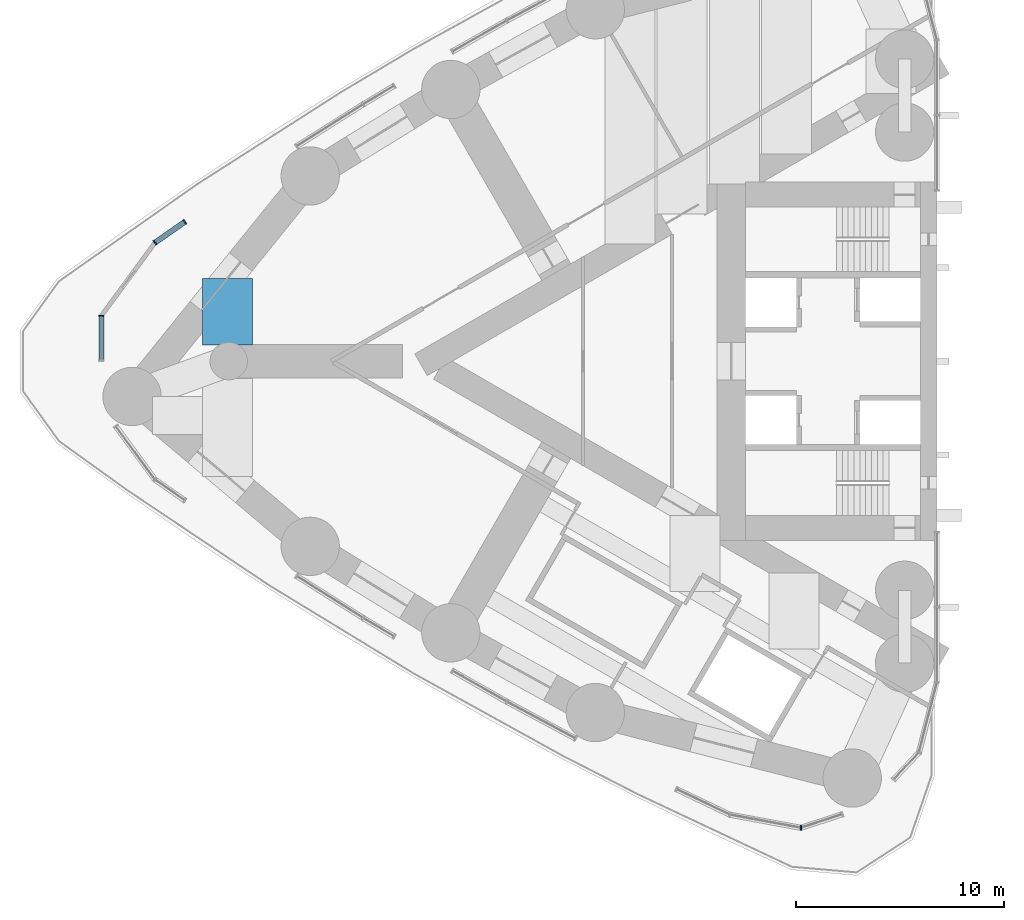
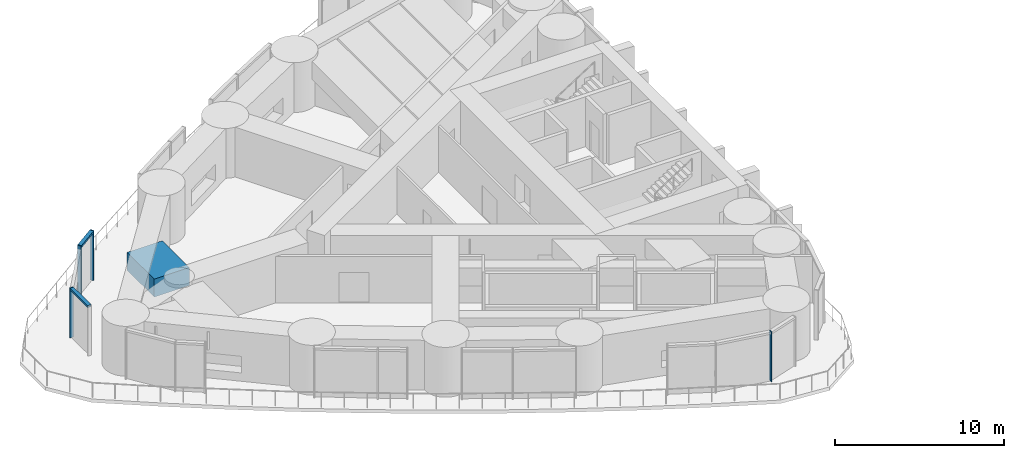
# One storey, part 3 of 17: 6 members, 1 beam, 3 elements without a shape of their own.
"""IFC4 building model written with IfcOpenShell, lengths in metres."""

from ifc_helpers import new_model, si_unit, direction, frame, origin, origin_2d, place, context, subcontext, project, spatial, rectangle, extrude, material, material_profile, profile_set, type_object, element, aggregate, save


model = new_model("IFC4")

# Units and contexts
model_context = context("Model", 3, precision=1e-05, world=origin(), true_north=direction((0.0, 1.0)))
body_context = subcontext(model_context, "Body", "Model", "MODEL_VIEW")
ifc_project = project(units=[si_unit("LENGTHUNIT", "METRE"), si_unit("AREAUNIT", "SQUARE_METRE"), si_unit("VOLUMEUNIT", "CUBIC_METRE"), si_unit("PLANEANGLEUNIT", "RADIAN"), si_unit("MASSUNIT", "GRAM", prefix="KILO")], contexts=[model_context])

# Site, building, storey
site_placement = place(None, origin())
site = spatial("IfcSite", under=ifc_project, at=site_placement, CompositionType="ELEMENT")
building_placement = place(site_placement, origin())
building = spatial("IfcBuilding", under=site, at=building_placement, Name="Lancet Gate Hotel", CompositionType="ELEMENT")
storey_placement = place(building_placement, frame((0.0, 0.0, 152.699951171875)))
storey = spatial("IfcBuildingStorey", under=building, at=storey_placement, Name="L40", CompositionType="ELEMENT", Elevation=152.699951171875)

# Curtain wall, members
ifc_material_1 = material(Name="Aluminium curtain wall", Category="aluminium")
curtain_wall_type = type_object("IfcCurtainWallType", Name="Tower unitised curtain wall", PredefinedType="USERDEFINED", material=ifc_material_1)
curtain_wall_1_placement = place(storey_placement, origin())
curtain_wall_1 = element("IfcCurtainWall", 1, at=curtain_wall_1_placement, inside=storey, type_object=curtain_wall_type, Name="T1 L40 curtain wall 5", ObjectType="UNITISED CURTAIN WALL", PredefinedType="USERDEFINED")
ifc_material_2 = material(Name="Aluminium mullion", Category="aluminium")
ifc_material_profile_1 = material_profile(ifc_material_2, rectangle(XDim=0.06494140625, YDim=0.25, at=origin_2d()), Name="MULLION 65x250")
ifc_profile_set_1 = profile_set([ifc_material_profile_1], Name="Aluminium mullion")
member_type_1 = type_object("IfcMemberType", Name="Aluminium mullion 65x250", PredefinedType="MULLION", material=ifc_profile_set_1)
member_1_placement = place(storey_placement, frame((-63.61181640625, 6.6884765625, 0.0), z_axis=(0.0, 0.0, 1.0), x_axis=(-0.819630778943, -0.572892124409, 0.0)))
member_1 = element("IfcMember", 2, at=member_1_placement, type_object=member_type_1, Name="T1 L40 curtain wall 5 mullion 1", PredefinedType="MULLION", context=body_context, shape_type="SweptSolid", body=[
    extrude(rectangle(XDim=0.06494140625, YDim=0.25, at=origin_2d()), origin(), (0.0, 0.0, 1.0), 3.60009765625),
])
member_2_placement = place(storey_placement, frame((-65.040283203125, 5.68994140625, 0.0), z_axis=(0.0, 0.0, 1.0), x_axis=(-0.819630778943, -0.572892124409, 0.0)))
member_2 = element("IfcMember", 3, at=member_2_placement, type_object=member_type_1, Name="T1 L40 curtain wall 5 mullion 2", PredefinedType="MULLION", context=body_context, shape_type="SweptSolid", body=[
    extrude(rectangle(XDim=0.06494140625, YDim=0.25, at=origin_2d()), origin(), (0.0, 0.0, 1.0), 3.60009765625),
])

# Curtain wall, member
curtain_wall_2_placement = place(storey_placement, origin())
curtain_wall_2 = element("IfcCurtainWall", 4, at=curtain_wall_2_placement, inside=storey, type_object=curtain_wall_type, Name="T1 L40 curtain wall 6", ObjectType="UNITISED CURTAIN WALL", PredefinedType="USERDEFINED")
member_3_placement = place(storey_placement, frame((-67.61572265625, 2.177490234375, 0.0), z_axis=(0.0, 0.0, 1.0), x_axis=(0.0, -1.0, 0.0)))
member_3 = element("IfcMember", 5, at=member_3_placement, type_object=member_type_1, Name="T1 L40 curtain wall 6 mullion 1", PredefinedType="MULLION", context=body_context, shape_type="SweptSolid", body=[
    extrude(rectangle(XDim=0.06494140625, YDim=0.25, at=origin_2d()), origin(), (0.0, 0.0, 1.0), 3.60009765625),
])

curtain_wall_3_placement = place(storey_placement, origin())
curtain_wall_3 = element("IfcCurtainWall", 6, at=curtain_wall_3_placement, inside=storey, type_object=curtain_wall_type, Name="T1 L40 curtain wall 10", ObjectType="UNITISED CURTAIN WALL", PredefinedType="USERDEFINED")
member_4_placement = place(storey_placement, frame((-34.02783203125, -22.407470703125, 0.0), z_axis=(0.0, 0.0, 1.0), x_axis=(0.999992788432, 0.003797773567, 0.0)))
member_4 = element("IfcMember", 7, at=member_4_placement, type_object=member_type_1, Name="T1 L40 curtain wall 10 mullion 3", PredefinedType="MULLION", context=body_context, shape_type="SweptSolid", body=[
    extrude(rectangle(XDim=0.06494140625, YDim=0.25, at=origin_2d()), origin(), (0.0, 0.0, 1.0), 3.60009765625),
])
aggregate(curtain_wall_3, [member_4])

# Member
ifc_material_3 = material(Name="Aluminium transom", Category="aluminium")
ifc_material_profile_2 = material_profile(ifc_material_3, rectangle(XDim=0.25, YDim=0.14990234375, at=origin_2d()), Name="TRANSOM 250x150")
ifc_profile_set_2 = profile_set([ifc_material_profile_2], Name="Aluminium transom")
member_type_2 = type_object("IfcMemberType", Name="Aluminium transom 250x150", PredefinedType="USERDEFINED", material=ifc_profile_set_2)
member_5_placement = place(storey_placement, frame((-63.638427734375, 6.669677734375, 3.525146484375), z_axis=(-0.819648697745, -0.572866487311, 0.0), x_axis=(0.572866487311, -0.819648697745, 0.0)))
member_5 = element("IfcMember", 8, at=member_5_placement, type_object=member_type_2, Name="T1 L40 curtain wall 5 transom 1", ObjectType="TRANSOM", PredefinedType="USERDEFINED", context=body_context, shape_type="SweptSolid", body=[
    extrude(rectangle(XDim=0.25, YDim=0.14990234375, at=origin_2d()), origin(), (0.0, 0.0, 1.0), 1.677734375),
])

aggregate(curtain_wall_1, [member_1, member_2, member_5])

member_6_placement = place(storey_placement, frame((-67.61572265625, 2.14501953125, 3.525146484375), z_axis=(0.0, -1.0, 0.0), x_axis=(1.0, 0.0, 0.0)))
member_6 = element("IfcMember", 9, at=member_6_placement, type_object=member_type_2, Name="T1 L40 curtain wall 6 transom 1", ObjectType="TRANSOM", PredefinedType="USERDEFINED", context=body_context, shape_type="SweptSolid", body=[
    extrude(rectangle(XDim=0.25, YDim=0.14990234375, at=origin_2d()), origin(), (0.0, 0.0, 1.0), 2.085693359375),
])

aggregate(curtain_wall_2, [member_3, member_6])

# Beam
ifc_material_4 = material(Name="Concrete C50/60", Category="concrete")
ifc_material_profile_3 = material_profile(ifc_material_4, rectangle(XDim=2.39990234375, YDim=1.300048828125, at=origin_2d()), Name="RC 2400x1300")
ifc_profile_set_3 = profile_set([ifc_material_profile_3], Name="Concrete C50/60")
beam_type = type_object("IfcBeamType", Name="Floor beam RC 2400x1300", PredefinedType="BEAM", material=ifc_profile_set_3)
beam_placement = place(storey_placement, frame((-61.568359375, 3.967529296875, 2.699951171875), z_axis=(0.0, -1.0, 0.0), x_axis=(1.0, 0.0, 0.0)))
element("IfcBeam", 10, at=beam_placement, inside=storey, type_object=beam_type, Name="T1 floor beam F08S L40", PredefinedType="BEAM", context=body_context, shape_type="SweptSolid", body=[
    extrude(rectangle(XDim=2.39990234375, YDim=1.300048828125, at=origin_2d()), origin(), (0.0, 0.0, 1.0), 3.194091796875),
])

save(model, "model.ifc")
